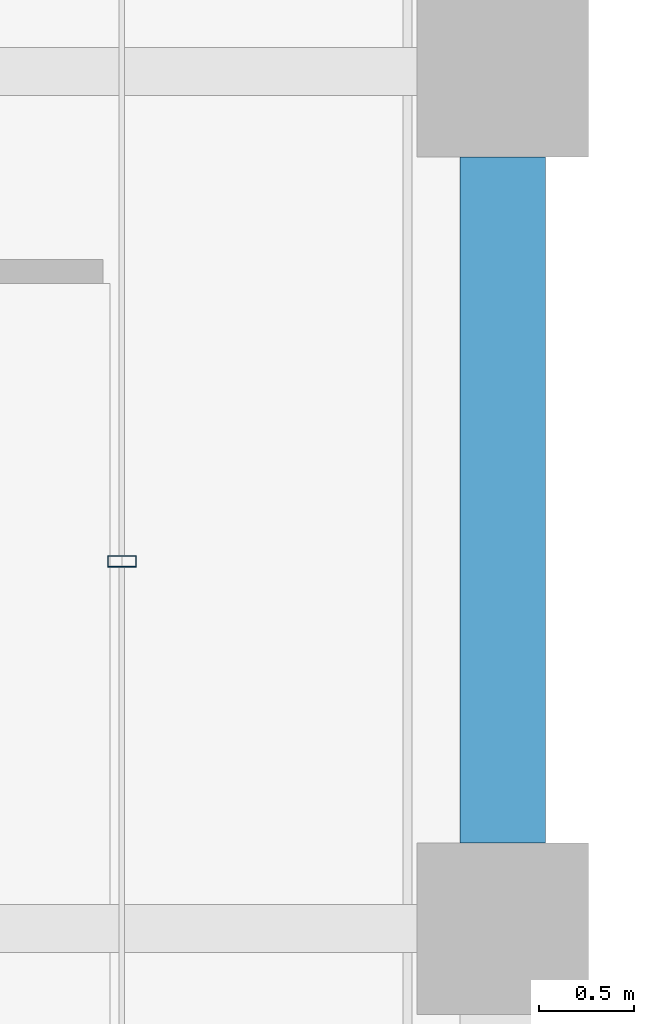
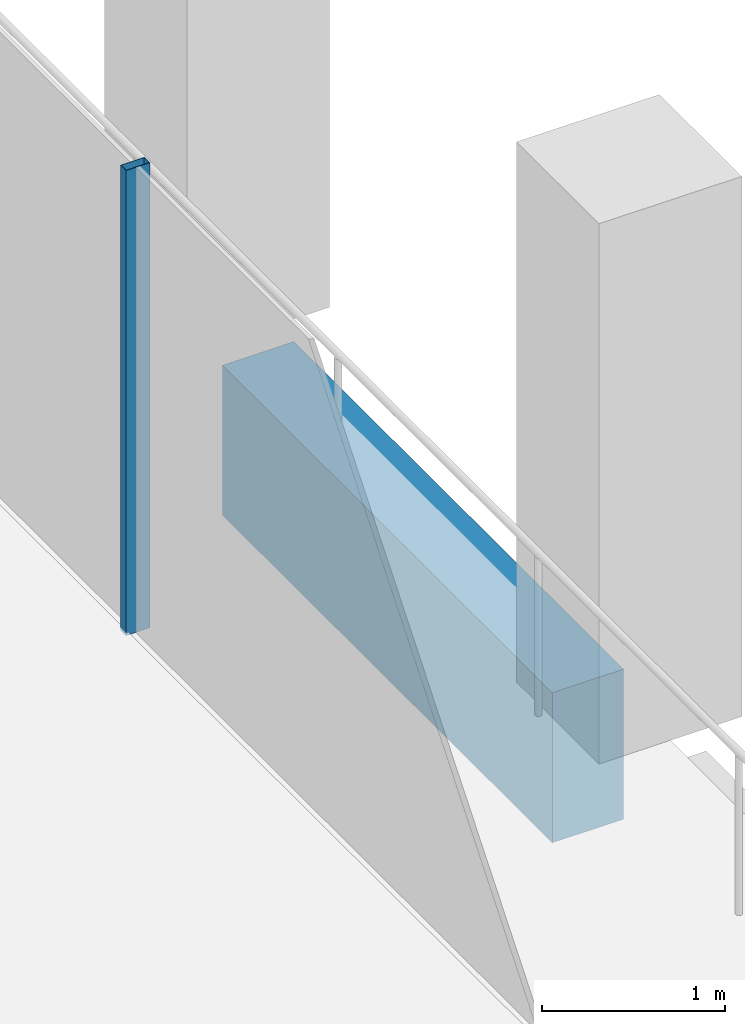
# One storey, part 17 of 40: 1 beam, 1 member, 1 element without a shape of its own.
"""IFC4 building model written with IfcOpenShell, lengths in metres."""

import ifcopenshell
import ifcopenshell.guid

model = None  # the IFC model being written
_history = None  # IfcOwnerHistory: only IFC2X3 demands one
_inside = {}  # id of a spatial element -> (the spatial element, [elements in it])
_under = {}  # id of a project, library or spatial element -> (it, [spatial elements below it])
_declared = {}  # id of a project -> (the project, [libraries it declares])
_typed = {}  # id of a type object -> (the type object, [elements of that type])
_made_of = {}  # id of a material, layer set ... -> (it, [elements and type objects made of it])


def new_model(schema):
    """Start an empty IFC model of exactly this schema.

    Asked for "IFC4X3", IfcOpenShell would pick the latest addendum, in which some entities
    have other attributes; the version numbers below select the first issue.
    IFC2X3 requires an IfcOwnerHistory on every rooted entity: one is made here for all.
    """
    global model, _history
    if schema == "IFC4X3":
        model = ifcopenshell.file(schema_version=(4, 3, 0, 0))
    else:
        model = ifcopenshell.file(schema=schema)
    _inside.clear()
    _under.clear()
    _declared.clear()
    _typed.clear()
    _made_of.clear()
    _history = None
    if model.schema == "IFC2X3":
        org = make("IfcOrganization", Name="unknown")
        user = make(
            "IfcPersonAndOrganization",
            ThePerson=make("IfcPerson", FamilyName="unknown"),
            TheOrganization=org,
        )
        app = make(
            "IfcApplication",
            ApplicationDeveloper=org,
            Version="unknown",
            ApplicationFullName="unknown",
            ApplicationIdentifier="unknown",
        )
        _history = make(
            "IfcOwnerHistory",
            OwningUser=user,
            OwningApplication=app,
            ChangeAction="ADDED",
            CreationDate=0,
        )
    return model


def make(cls, **values):
    """One entity of the class cls with the attributes given. An attribute that is None is left unset."""
    return model.create_entity(
        cls, **{name: value for name, value in values.items() if value is not None}
    )


def rooted(cls, **values):
    """An entity with a GlobalId (a new one), such as an element, a storey or a relation."""
    return make(cls, GlobalId=ifcopenshell.guid.new(), OwnerHistory=_history, **values)


def si_unit(unit_type, name, prefix=None):
    """IfcSIUnit, for example si_unit("LENGTHUNIT", "METRE", prefix="MILLI")."""
    return make("IfcSIUnit", UnitType=unit_type, Prefix=prefix, Name=name)


def assignment(units):
    """IfcUnitAssignment: the units of a project."""
    return None if units is None else make("IfcUnitAssignment", Units=units)


def point(xyz):
    """IfcCartesianPoint."""
    return None if xyz is None else make("IfcCartesianPoint", Coordinates=xyz)


def direction(xyz):
    """IfcDirection."""
    return None if xyz is None else make("IfcDirection", DirectionRatios=xyz)


def frame(location, z_axis=None, x_axis=None):
    """IfcAxis2Placement3D, a coordinate frame: its origin and axes. An axis left out is left unset."""
    return make(
        "IfcAxis2Placement3D",
        Location=point(location),
        Axis=direction(z_axis),
        RefDirection=direction(x_axis),
    )


def frame_2d(location, x_axis=None):
    """IfcAxis2Placement2D, a coordinate frame in the plane: its origin and x axis."""
    return make(
        "IfcAxis2Placement2D", Location=point(location), RefDirection=direction(x_axis)
    )


def origin():
    """The frame at (0, 0, 0) with its axes left unset."""
    return frame((0.0, 0.0, 0.0))


def origin_2d():
    """The frame at (0, 0) in the plane with its x axis left unset."""
    return frame_2d((0.0, 0.0))


def place(relative_to, where):
    """IfcLocalPlacement: puts the frame where relative to a parent placement (None: the world)."""
    return make(
        "IfcLocalPlacement", PlacementRelTo=relative_to, RelativePlacement=where
    )


def context(
    kind, dimensions, precision=None, world=None, true_north=None, identifier=None
):
    """IfcGeometricRepresentationContext, for example the 3D "Model" context."""
    return make(
        "IfcGeometricRepresentationContext",
        ContextIdentifier=identifier,
        ContextType=kind,
        CoordinateSpaceDimension=dimensions,
        Precision=precision,
        WorldCoordinateSystem=world,
        TrueNorth=true_north,
    )


def subcontext(parent, identifier, kind, view, scale=None):
    """IfcGeometricRepresentationSubContext, for example "Body" below "Model"."""
    return make(
        "IfcGeometricRepresentationSubContext",
        ContextIdentifier=identifier,
        ContextType=kind,
        ParentContext=parent,
        TargetScale=scale,
        TargetView=view,
    )


def project(units=None, contexts=None):
    """IfcProject with its units and contexts."""
    return rooted(
        "IfcProject",
        Name="project",
        RepresentationContexts=contexts,
        UnitsInContext=assignment(units),
    )


def spatial(cls, under=None, at=None, **own):
    """A site, building, storey or space (cls), placed at a placement, below another one or the project."""
    s = rooted(cls, ObjectPlacement=at, **own)
    if under is not None:
        _under.setdefault(under.id(), (under, []))[1].append(s)
    return s


def profile(cls, at=None, kind="AREA", **sizes):
    """A parametric profile (cls). Its sizes go by their IFC names, for example OverallWidth=200.0."""
    return make(cls, ProfileType=kind, Position=at, **sizes)


def rectangle(**sizes):
    """IfcRectangleProfileDef."""
    return profile("IfcRectangleProfileDef", **sizes)


def hollow_rectangle(**sizes):
    """IfcRectangleHollowProfileDef."""
    return profile("IfcRectangleHollowProfileDef", **sizes)


def extrude(swept, where, along, depth):
    """IfcExtrudedAreaSolid: the profile swept, set in the frame where, extruded along a direction by depth."""
    return make(
        "IfcExtrudedAreaSolid",
        SweptArea=swept,
        Position=where,
        ExtrudedDirection=direction(along),
        Depth=depth,
    )


def shape(context_of_items, identifier, shape_type, items):
    """IfcShapeRepresentation: the items that make up one representation, for example the "Body"."""
    return make(
        "IfcShapeRepresentation",
        ContextOfItems=context_of_items,
        RepresentationIdentifier=identifier,
        RepresentationType=shape_type,
        Items=items,
    )


def material(Name=None, Category=None):
    """IfcMaterial."""
    return make("IfcMaterial", Name=Name, Category=Category)


def material_profile(
    of_material, cross_section, Name=None, Category=None, Priority=None
):
    """IfcMaterialProfile: a cross section and its material."""
    return make(
        "IfcMaterialProfile",
        Name=Name,
        Material=of_material,
        Profile=cross_section,
        Priority=Priority,
        Category=Category,
    )


def profile_set(profiles, Name=None, composite=None):
    """IfcMaterialProfileSet."""
    return make(
        "IfcMaterialProfileSet",
        Name=Name,
        MaterialProfiles=profiles,
        CompositeProfile=composite,
    )


def made_of(thing, what):
    """Note that an element or type object is made of a material, layer set ...; save() writes the relation."""
    if what is not None:
        _made_of.setdefault(what.id(), (what, []))[1].append(thing)
    return thing


def type_object(cls, material=None, **own):
    """A type object (cls), such as IfcWallType, which elements share."""
    return made_of(rooted(cls, **own), material)


def element(
    cls,
    number,
    at=None,
    inside=None,
    cuts=None,
    type_object=None,
    material=None,
    context=None,
    identifier="Body",
    shape_type=None,
    held_by="IfcProductDefinitionShape",
    body=None,
    shapes=None,
    **own,
):
    """One element of the class cls, such as IfcWall. Its Tag is "e" and its number.

    at: its placement. inside: the storey or other place that contains it. cuts: it is an
    opening in that element (IfcRelVoidsElement). A single representation is given by context,
    identifier, shape_type and body (its items); several are given by shapes. held_by: the class
    of the entity that holds the representations. save() writes the other relations.
    """
    e = rooted(cls, Tag="e%d" % number, ObjectPlacement=at, **own)
    if body is not None:
        shapes = [shape(context, identifier, shape_type, body)]
    if shapes is not None:
        e.Representation = make(held_by, Representations=shapes)
    if inside is not None:
        _inside.setdefault(inside.id(), (inside, []))[1].append(e)
    if cuts is not None:
        rooted(
            "IfcRelVoidsElement", RelatingBuildingElement=cuts, RelatedOpeningElement=e
        )
    if type_object is not None:
        _typed.setdefault(type_object.id(), (type_object, []))[1].append(e)
    return made_of(e, material)


def aggregate(whole, parts):
    """IfcRelAggregates: a whole, such as a stair, and the parts it consists of."""
    return rooted("IfcRelAggregates", RelatingObject=whole, RelatedObjects=parts)


def save(model, path):
    """Write the relations noted so far, then the file.

    IfcRelAggregates (storeys below a building ...), IfcRelContainedInSpatialStructure (elements
    in a storey), IfcRelDefinesByType, IfcRelAssociatesMaterial and IfcRelDeclares: one each for
    every whole, place, type object, material and project.
    """
    for whole, parts in _under.values():
        aggregate(whole, parts)
    for where, things in _inside.values():
        rooted(
            "IfcRelContainedInSpatialStructure",
            RelatedElements=things,
            RelatingStructure=where,
        )
    for kind, things in _typed.values():
        rooted("IfcRelDefinesByType", RelatedObjects=things, RelatingType=kind)
    for what, things in _made_of.values():
        rooted("IfcRelAssociatesMaterial", RelatedObjects=things, RelatingMaterial=what)
    for by, libraries in _declared.values():
        rooted("IfcRelDeclares", RelatingContext=by, RelatedDefinitions=libraries)
    model.write(path)


model = new_model("IFC4")

# Units and contexts
model_context = context("Model", 3, precision=1e-05, world=origin(), true_north=direction((0.0, 1.0)))
body_context = subcontext(model_context, "Body", "Model", "MODEL_VIEW")
ifc_project = project(units=[si_unit("LENGTHUNIT", "METRE"), si_unit("AREAUNIT", "SQUARE_METRE"), si_unit("VOLUMEUNIT", "CUBIC_METRE"), si_unit("PLANEANGLEUNIT", "RADIAN"), si_unit("MASSUNIT", "GRAM", prefix="KILO")], contexts=[model_context])

# Site, building, storey
site_placement = place(None, origin())
site = spatial("IfcSite", under=ifc_project, at=site_placement, CompositionType="ELEMENT")
building_placement = place(site_placement, origin())
building = spatial("IfcBuilding", under=site, at=building_placement, Name="Altepetl Exchange Towers", CompositionType="ELEMENT")
storey_placement = place(building_placement, frame((0.0, 0.0, 183.39990234375)))
storey = spatial("IfcBuildingStorey", under=building, at=storey_placement, Name="L46", CompositionType="ELEMENT", Elevation=183.39990234375)

# Curtain wall, member
ifc_material_1 = material(Name="Aluminium 6063-T6 glazing", Category="aluminium")
curtain_wall_type = type_object("IfcCurtainWallType", Name="Loggia glazing system", PredefinedType="NOTDEFINED", material=ifc_material_1)
curtain_wall_placement = place(storey_placement, origin())
curtain_wall = element("IfcCurtainWall", 1, at=curtain_wall_placement, inside=storey, type_object=curtain_wall_type, Name="CW1 run", PredefinedType="NOTDEFINED")
ifc_material_2 = material(Name="Aluminium 6063-T6", Category="aluminium")
ifc_material_profile_1 = material_profile(ifc_material_2, hollow_rectangle(XDim=0.06005859375, YDim=0.14990234375, WallThickness=0.0029296875, at=origin_2d()), Name="Mullion 60x150 aluminium")
ifc_profile_set_1 = profile_set([ifc_material_profile_1], Name="Aluminium 6063-T6")
member_type = type_object("IfcMemberType", Name="Mullion 60x150 aluminium", PredefinedType="MULLION", material=ifc_profile_set_1)
member_placement = place(storey_placement, frame((70.0, 46.927978515625, 0.0), z_axis=(0.0, 0.0, 1.0), x_axis=(0.0, 1.0, 0.0)))
member = element("IfcMember", 2, at=member_placement, type_object=member_type, Name="MU1 mullion", PredefinedType="MULLION", context=body_context, shape_type="SweptSolid", body=[
    extrude(hollow_rectangle(XDim=0.06005859375, YDim=0.14990234375, WallThickness=0.0029296875, at=origin_2d()), origin(), (0.0, 0.0, 1.0), 3.10009765625),
])
aggregate(curtain_wall, [member])

# Beam
ifc_material_3 = material(Name="Concrete C50/60 precast with cantera amarilla facing", Category="concrete")
ifc_material_profile_2 = material_profile(ifc_material_3, rectangle(XDim=0.449951171875, YDim=1.0, at=origin_2d()), Name="450 x 1000")
ifc_profile_set_2 = profile_set([ifc_material_profile_2], Name="Concrete C50/60 precast with cantera amarilla facing")
beam_type = type_object("IfcBeamType", Name="Spandrel beam 450x1000 cantera amarilla", PredefinedType="SPANDREL", material=ifc_profile_set_2)
beam_placement = place(storey_placement, frame((72.0, 45.449951171875, -0.64990234375), z_axis=(0.0, 1.0, 0.0), x_axis=(-1.0, 0.0, 0.0)))
element("IfcBeam", 3, at=beam_placement, inside=storey, type_object=beam_type, Name="sp:A:L46:015", PredefinedType="SPANDREL", context=body_context, shape_type="SweptSolid", body=[
    extrude(rectangle(XDim=0.449951171875, YDim=1.0, at=origin_2d()), origin(), (0.0, 0.0, 1.0), 3.60009765625),
])

save(model, "model.ifc")
